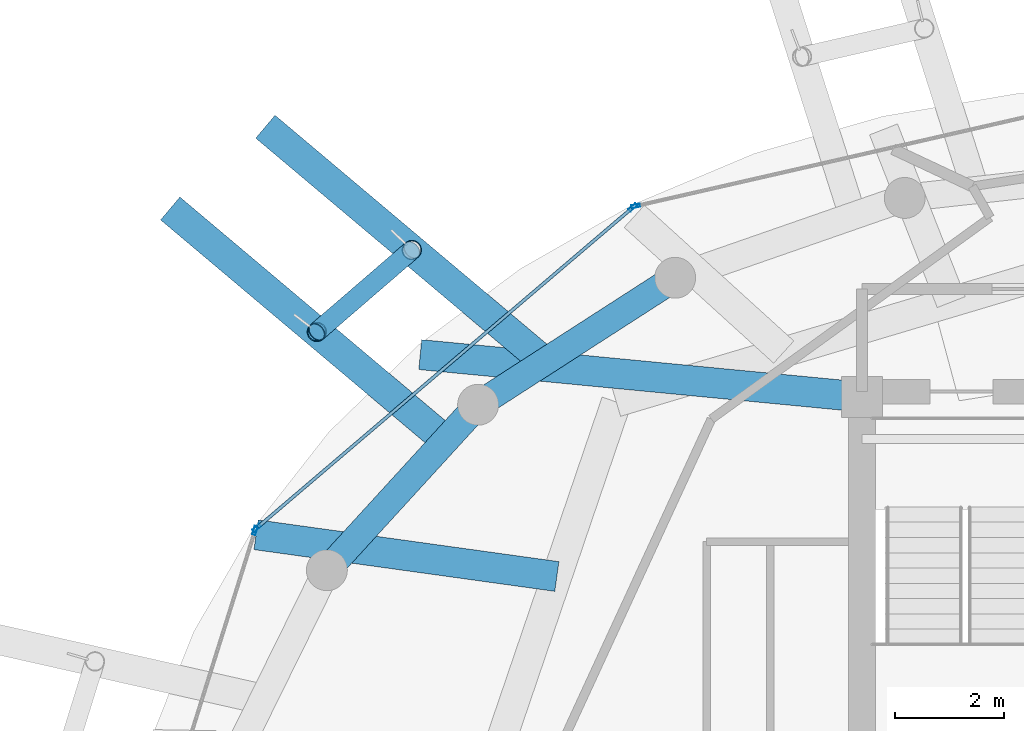
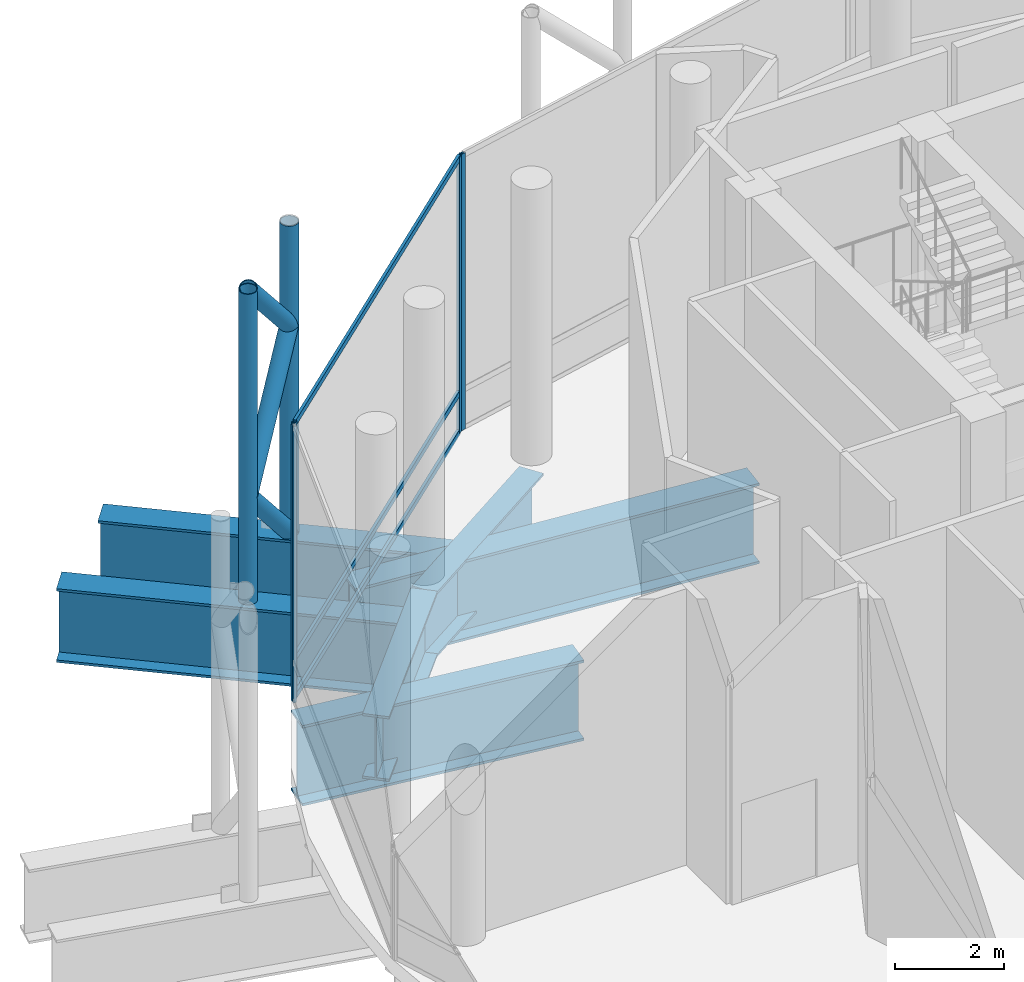
# One storey, part 11 of 26: 12 members, 6 beams, 3 elements without a shape of their own.
"""IFC4 building model written with IfcOpenShell, lengths in metres."""

from ifc_helpers import new_model, si_unit, direction, frame, origin, origin_2d, place, context, subcontext, project, spatial, hollow_rectangle, hollow_circle, i_section, extrude, material, layer, layer_set, material_profile, profile_set, type_object, element, aggregate, save


model = new_model("IFC4")

# Units and contexts
model_context = context("Model", 3, precision=1e-05, world=origin(), true_north=direction((0.0, 1.0)))
body_context = subcontext(model_context, "Body", "Model", "MODEL_VIEW")
ifc_project = project(units=[si_unit("LENGTHUNIT", "METRE"), si_unit("AREAUNIT", "SQUARE_METRE"), si_unit("VOLUMEUNIT", "CUBIC_METRE"), si_unit("PLANEANGLEUNIT", "RADIAN"), si_unit("MASSUNIT", "GRAM", prefix="KILO")], contexts=[model_context])

# Site, building, storey
site_placement = place(None, origin())
site = spatial("IfcSite", under=ifc_project, at=site_placement, CompositionType="ELEMENT")
building_placement = place(site_placement, origin())
building = spatial("IfcBuilding", under=site, at=building_placement, Name="Nuhasar Tower", CompositionType="ELEMENT")
storey_placement = place(building_placement, frame((0.0, 0.0, 306.800048828125)))
storey = spatial("IfcBuildingStorey", under=building, at=storey_placement, Name="L76", CompositionType="ELEMENT", Elevation=306.800048828125)

# Beams
ifc_material_1 = material(Name="Steel S460", Category="steel")
ifc_material_profile_1 = material_profile(ifc_material_1, i_section(OverallWidth=0.5, OverallDepth=1.449951171875, WebThickness=0.028076171875, FlangeThickness=0.050048828125, at=origin_2d()), Name="PG1450X500")
ifc_profile_set_1 = profile_set([ifc_material_profile_1], Name="Steel S460")
beam_type_1 = type_object("IfcBeamType", Name="BM-XFER-PG1450", PredefinedType="USERDEFINED", material=ifc_profile_set_1)
beam_1_placement = place(storey_placement, frame((30.27490234375, 39.487060546875, -1.074951171875), z_axis=(-0.84066698683, -0.541552414133, 0.0), x_axis=(0.541552414133, -0.84066698683, 0.0)))
element("IfcBeam", 1, at=beam_1_placement, inside=storey, type_object=beam_type_1, Name="L76 Perimeter Ring Spandrel 09", ObjectType="GIRDER", PredefinedType="USERDEFINED", context=body_context, shape_type="SweptSolid", body=[
    extrude(i_section(OverallWidth=0.5, OverallDepth=1.449951171875, WebThickness=0.028076171875, FlangeThickness=0.050048828125, at=origin_2d()), origin(), (0.0, 0.0, 1.0), 4.299072265625),
])
beam_2_placement = place(storey_placement, frame((26.660888671875, 37.158935546875, -1.074951171875), z_axis=(-0.674645322637, -0.738142051806, 0.0), x_axis=(0.738142051806, -0.674645322637, 0.0)))
element("IfcBeam", 2, at=beam_2_placement, inside=storey, type_object=beam_type_1, Name="L76 Perimeter Ring Spandrel 10", ObjectType="GIRDER", PredefinedType="USERDEFINED", context=body_context, shape_type="SweptSolid", body=[
    extrude(i_section(OverallWidth=0.5, OverallDepth=1.449951171875, WebThickness=0.028076171875, FlangeThickness=0.050048828125, at=origin_2d()), origin(), (0.0, 0.0, 1.0), 4.1103515625),
])
ifc_material_profile_2 = material_profile(ifc_material_1, i_section(OverallWidth=0.550048828125, OverallDepth=1.64990234375, WebThickness=0.031982421875, FlangeThickness=0.054931640625, at=origin_2d()), Name="PG1650X550")
ifc_profile_set_2 = profile_set([ifc_material_profile_2], Name="Steel S460")
beam_type_2 = type_object("IfcBeamType", Name="BM-XFER-PG1650", PredefinedType="USERDEFINED", material=ifc_profile_set_2)
beam_3_placement = place(storey_placement, frame((27.882080078125, 37.945068359375, -1.175048828125), z_axis=(-0.765007637998, 0.644021206021, 0.0), x_axis=(-0.644021206021, -0.765007637998, 0.0)))
element("IfcBeam", 3, at=beam_3_placement, inside=storey, type_object=beam_type_2, Name="L76 Exoskeleton Step Transfer Girder 09", ObjectType="GIRDER", PredefinedType="USERDEFINED", context=body_context, shape_type="SweptSolid", body=[
    extrude(i_section(OverallWidth=0.550048828125, OverallDepth=1.64990234375, WebThickness=0.031982421875, FlangeThickness=0.054931640625, at=origin_2d()), origin(), (0.0, 0.0, 1.0), 6.695556640625),
])
beam_4_placement = place(storey_placement, frame((26.06396484375, 36.506103515625, -1.175048828125), z_axis=(-0.764826777632, 0.644235981778, 0.0), x_axis=(-0.644235981778, -0.764826777632, 0.0)))
element("IfcBeam", 4, at=beam_4_placement, inside=storey, type_object=beam_type_2, Name="L76 Exoskeleton Step Transfer Girder 10", ObjectType="GIRDER", PredefinedType="USERDEFINED", context=body_context, shape_type="SweptSolid", body=[
    extrude(i_section(OverallWidth=0.550048828125, OverallDepth=1.64990234375, WebThickness=0.031982421875, FlangeThickness=0.054931640625, at=origin_2d()), origin(), (0.0, 0.0, 1.0), 6.60009765625),
])
ifc_material_profile_3 = material_profile(ifc_material_1, i_section(OverallWidth=0.550048828125, OverallDepth=1.800048828125, WebThickness=0.031982421875, FlangeThickness=0.054931640625, at=origin_2d()), Name="PG1800X550")
ifc_profile_set_3 = profile_set([ifc_material_profile_3], Name="Steel S460")
beam_type_3 = type_object("IfcBeamType", Name="BM-XFER-PG1800", PredefinedType="USERDEFINED", material=ifc_profile_set_3)
beam_5_placement = place(storey_placement, frame((33.699951171875, 37.300048828125, -1.25), z_axis=(-0.99542073054, 0.095590633496, 0.0), x_axis=(-0.095590633496, -0.99542073054, 0.0)))
element("IfcBeam", 5, at=beam_5_placement, inside=storey, type_object=beam_type_3, Name="L76 Radial Floor Girder 07", ObjectType="GIRDER", PredefinedType="USERDEFINED", context=body_context, shape_type="SweptSolid", body=[
    extrude(i_section(OverallWidth=0.550048828125, OverallDepth=1.800048828125, WebThickness=0.031982421875, FlangeThickness=0.054931640625, at=origin_2d()), origin(), (0.0, 0.0, 1.0), 8.13720703125),
])
beam_6_placement = place(storey_placement, frame((28.10498046875, 34.010009765625, -1.25), z_axis=(-0.990521622398, 0.137356891204, 0.0), x_axis=(-0.137356891204, -0.990521622398, 0.0)))
element("IfcBeam", 6, at=beam_6_placement, inside=storey, type_object=beam_type_3, Name="L76 Inner Column Transfer Girder 11", ObjectType="GIRDER", PredefinedType="USERDEFINED", context=body_context, shape_type="SweptSolid", body=[
    extrude(i_section(OverallWidth=0.550048828125, OverallDepth=1.800048828125, WebThickness=0.031982421875, FlangeThickness=0.054931640625, at=origin_2d()), origin(), (0.0, 0.0, 1.0), 5.568603515625),
])

# Curtain wall, member
ifc_material_2 = material(Name="Aluminium 6063-T6", Category="aluminium")
ifc_layer = layer(ifc_material_2, 0.239990234375)
ifc_layer_set = layer_set([ifc_layer], Name="Aluminium 6063-T6")
curtain_wall_type = type_object("IfcCurtainWallType", Name="CW-SKY-LBY", PredefinedType="NOTDEFINED", material=ifc_layer_set)
curtain_wall_1_placement = place(storey_placement, origin())
curtain_wall_1 = element("IfcCurtainWall", 7, at=curtain_wall_1_placement, inside=storey, type_object=curtain_wall_type, Name="L76 Unitised Curtain Wall 04", PredefinedType="NOTDEFINED")
ifc_material_profile_4 = material_profile(ifc_material_2, hollow_rectangle(XDim=0.06005859375, YDim=0.159912109375, WallThickness=0.0048828125, at=origin_2d()), Name="CWM-6")
ifc_profile_set_4 = profile_set([ifc_material_profile_4], Name="Aluminium 6063-T6")
member_type_1 = type_object("IfcMemberType", Name="CW-MUL-S6", PredefinedType="MULLION", material=ifc_profile_set_4)
member_1_placement = place(storey_placement, frame((29.54931640625, 40.8017578125, 0.0), z_axis=(0.0, 0.0, 1.0), x_axis=(0.222643296147, -0.974899975731, 0.0)))
member_1 = element("IfcMember", 8, at=member_1_placement, type_object=member_type_1, Name="CW-SL mullion 2", PredefinedType="MULLION", context=body_context, shape_type="SweptSolid", body=[
    extrude(hollow_rectangle(XDim=0.06005859375, YDim=0.159912109375, WallThickness=0.0048828125, at=origin_2d()), origin(), (0.0, 0.0, 1.0), 6.179931640625),
])
aggregate(curtain_wall_1, [member_1])

# Curtain wall, members
curtain_wall_2_placement = place(storey_placement, origin())
curtain_wall_2 = element("IfcCurtainWall", 9, at=curtain_wall_2_placement, inside=storey, type_object=curtain_wall_type, Name="L76 Unitised Curtain Wall 05", PredefinedType="NOTDEFINED")
member_2_placement = place(storey_placement, frame((29.4970703125, 40.775634765625, 0.0), z_axis=(0.0, 0.0, 1.0), x_axis=(0.648666497118, -0.761072779382, 0.0)))
member_2 = element("IfcMember", 10, at=member_2_placement, type_object=member_type_1, Name="CW-SL mullion 1", PredefinedType="MULLION", context=body_context, shape_type="SweptSolid", body=[
    extrude(hollow_rectangle(XDim=0.06005859375, YDim=0.159912109375, WallThickness=0.0048828125, at=origin_2d()), origin(), (0.0, 0.0, 1.0), 6.179931640625),
])
member_3_placement = place(storey_placement, frame((22.602783203125, 34.8994140625, 0.0), z_axis=(0.0, 0.0, 1.0), x_axis=(0.648666497118, -0.761072779382, 0.0)))
member_3 = element("IfcMember", 11, at=member_3_placement, type_object=member_type_1, Name="CW-SL mullion 2", PredefinedType="MULLION", context=body_context, shape_type="SweptSolid", body=[
    extrude(hollow_rectangle(XDim=0.06005859375, YDim=0.159912109375, WallThickness=0.0048828125, at=origin_2d()), origin(), (0.0, 0.0, 1.0), 6.179931640625),
])

# Curtain wall, member
curtain_wall_3_placement = place(storey_placement, origin())
curtain_wall_3 = element("IfcCurtainWall", 12, at=curtain_wall_3_placement, inside=storey, type_object=curtain_wall_type, Name="L76 Unitised Curtain Wall 06", PredefinedType="NOTDEFINED")
member_4_placement = place(storey_placement, frame((22.571044921875, 34.851318359375, 0.0), z_axis=(0.0, 0.0, 1.0), x_axis=(0.953974417341, -0.299887997525, 0.0)))
member_4 = element("IfcMember", 13, at=member_4_placement, type_object=member_type_1, Name="CW-SL mullion 1", PredefinedType="MULLION", context=body_context, shape_type="SweptSolid", body=[
    extrude(hollow_rectangle(XDim=0.06005859375, YDim=0.159912109375, WallThickness=0.0048828125, at=origin_2d()), origin(), (0.0, 0.0, 1.0), 6.179931640625),
])
aggregate(curtain_wall_3, [member_4])

# Member
ifc_material_profile_5 = material_profile(ifc_material_2, hollow_rectangle(XDim=0.06005859375, YDim=0.1298828125, WallThickness=0.00439453125, at=origin_2d()), Name="CWT-6")
ifc_profile_set_5 = profile_set([ifc_material_profile_5], Name="Aluminium 6063-T6")
member_type_2 = type_object("IfcMemberType", Name="CW-TRN-S6", PredefinedType="USERDEFINED", material=ifc_profile_set_5)
member_5_placement = place(storey_placement, frame((29.474365234375, 40.756103515625, 0.030029296875), z_axis=(-0.761071081007, -0.648668489797, 0.0), x_axis=(0.648668489797, -0.761071081007, 0.0)))
member_5 = element("IfcMember", 14, at=member_5_placement, type_object=member_type_2, Name="CW-SL transom 1.1", ObjectType="TRANSOM", PredefinedType="USERDEFINED", context=body_context, shape_type="SweptSolid", body=[
    extrude(hollow_rectangle(XDim=0.06005859375, YDim=0.1298828125, WallThickness=0.00439453125, at=origin_2d()), origin(), (0.0, 0.0, 1.0), 8.998779296875),
])

member_6_placement = place(storey_placement, frame((29.474365234375, 40.756103515625, 0.89990234375), z_axis=(-0.761071081007, -0.648668489797, 0.0), x_axis=(0.648668489797, -0.761071081007, 0.0)))
member_6 = element("IfcMember", 15, at=member_6_placement, type_object=member_type_2, Name="CW-SL transom 1.2", ObjectType="TRANSOM", PredefinedType="USERDEFINED", context=body_context, shape_type="SweptSolid", body=[
    extrude(hollow_rectangle(XDim=0.06005859375, YDim=0.1298828125, WallThickness=0.00439453125, at=origin_2d()), origin(), (0.0, 0.0, 1.0), 8.998779296875),
])

member_7_placement = place(storey_placement, frame((29.474365234375, 40.756103515625, 6.14990234375), z_axis=(-0.761071081007, -0.648668489797, 0.0), x_axis=(0.648668489797, -0.761071081007, 0.0)))
member_7 = element("IfcMember", 16, at=member_7_placement, type_object=member_type_2, Name="CW-SL transom 1.3", ObjectType="TRANSOM", PredefinedType="USERDEFINED", context=body_context, shape_type="SweptSolid", body=[
    extrude(hollow_rectangle(XDim=0.06005859375, YDim=0.1298828125, WallThickness=0.00439453125, at=origin_2d()), origin(), (0.0, 0.0, 1.0), 8.998779296875),
])

aggregate(curtain_wall_2, [member_2, member_3, member_5, member_6, member_7])

# Members
ifc_material_profile_6 = material_profile(ifc_material_1, hollow_circle(Radius=0.177734375, WallThickness=0.015869140625, at=origin_2d()), Name="HSS355.6X15.9")
ifc_profile_set_6 = profile_set([ifc_material_profile_6], Name="Steel S460")
member_type_3 = type_object("IfcMemberType", Name="EXO-BRONZE-356", PredefinedType="BRACE", material=ifc_profile_set_6)
for number, where, z_axis, x_axis, name in (
    (17, (25.446044921875, 39.99609375, -0.35009765625), (0.0, 0.0, 1.0), (1.0, 0.0, 0.0), "L76 Exoskeleton Chord Column EC-05A"),
    (18, (23.7041015625, 38.493896484375, -0.35009765625), (0.0, 0.0, 1.0), (1.0, 0.0, 0.0), "L76 Exoskeleton Chord Column EC-05B"),
):
    element("IfcMember", number, at=place(storey_placement, frame(where, z_axis=z_axis, x_axis=x_axis)), inside=storey, type_object=member_type_3, Name=name, PredefinedType="BRACE", context=body_context, shape_type="SweptSolid", body=[
        extrude(hollow_circle(Radius=0.177734375, WallThickness=0.015869140625, at=origin_2d()), origin(), (0.0, 0.0, 1.0), 6.949951171875),
    ])
member_8_placement = place(storey_placement, frame((25.446044921875, 39.99609375, -0.35009765625), z_axis=(-0.533523426539, -0.460093853328, 0.709694581819), x_axis=(0.653069787668, -0.757297730378, 0.0)))
element("IfcMember", 19, at=member_8_placement, inside=storey, type_object=member_type_3, Name="L76 Bronze Diagrid Brace W1-05", PredefinedType="BRACE", context=body_context, shape_type="SweptSolid", body=[
    extrude(hollow_circle(Radius=0.177734375, WallThickness=0.015869140625, at=origin_2d()), origin(), (0.0, 0.0, 1.0), 3.264892578125),
])
member_9_placement = place(storey_placement, frame((23.7041015625, 38.493896484375, 1.967041015625), z_axis=(0.533665010136, 0.460215950577, 0.709508939895), x_axis=(-0.653069787668, 0.757297730378, 0.0)))
element("IfcMember", 20, at=member_9_placement, inside=storey, type_object=member_type_3, Name="L76 Bronze Diagrid Brace W2-05", PredefinedType="BRACE", context=body_context, shape_type="SweptSolid", body=[
    extrude(hollow_circle(Radius=0.177734375, WallThickness=0.015869140625, at=origin_2d()), origin(), (0.0, 0.0, 1.0), 3.26416015625),
])
member_10_placement = place(storey_placement, frame((25.446044921875, 39.99609375, 4.282958984375), z_axis=(-0.533551740211, -0.460118270149, 0.709657465256), x_axis=(0.653069787668, -0.757297730378, 0.0)))
element("IfcMember", 21, at=member_10_placement, inside=storey, type_object=member_type_3, Name="L76 Bronze Diagrid Brace W3-05", PredefinedType="BRACE", context=body_context, shape_type="SweptSolid", body=[
    extrude(hollow_circle(Radius=0.177734375, WallThickness=0.015869140625, at=origin_2d()), origin(), (0.0, 0.0, 1.0), 3.264892578125),
])

save(model, "model.ifc")
